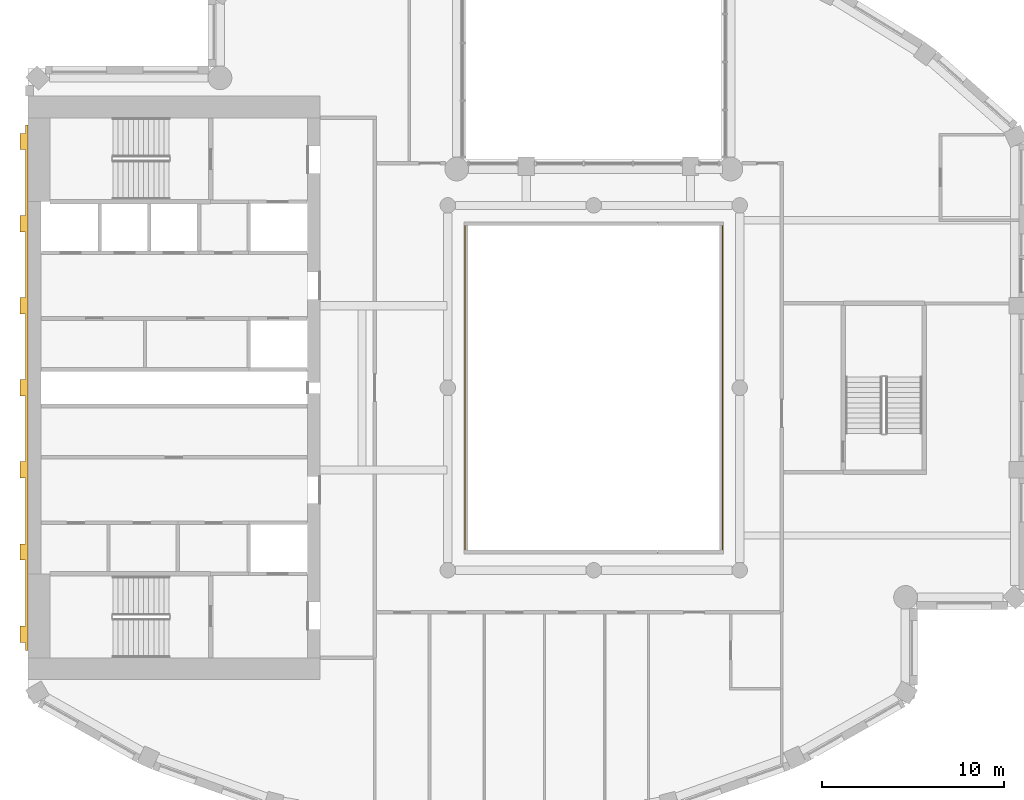
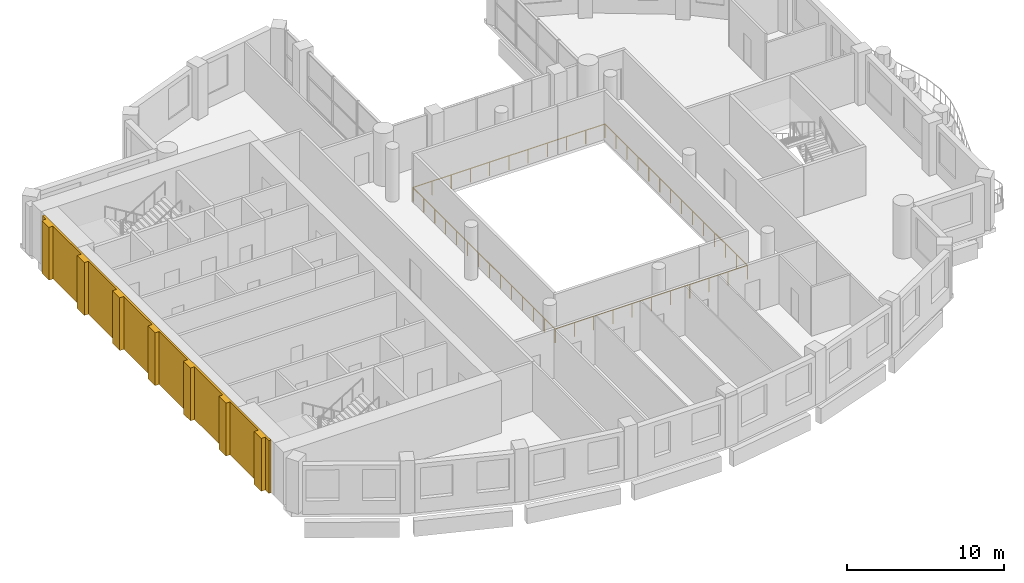
# One storey, part 11 of 14: 1 covering, 1 railing.
"""IFC4 building model written with IfcOpenShell, lengths in metres."""

from ifc_helpers import new_model, si_unit, direction, frame, origin, origin_2d, place, context, subcontext, project, spatial, polyline, rectangle, outline, extrude, material, layer, layer_set, type_object, element, save


model = new_model("IFC4")

# Units and contexts
model_context = context("Model", 3, precision=1e-05, world=origin(), true_north=direction((0.0, 1.0)))
body_context = subcontext(model_context, "Body", "Model", "MODEL_VIEW")
ifc_project = project(units=[si_unit("LENGTHUNIT", "METRE"), si_unit("AREAUNIT", "SQUARE_METRE"), si_unit("VOLUMEUNIT", "CUBIC_METRE"), si_unit("PLANEANGLEUNIT", "RADIAN"), si_unit("MASSUNIT", "GRAM", prefix="KILO")], contexts=[model_context])

# Site, building, storey
site_placement = place(None, origin())
site = spatial("IfcSite", under=ifc_project, at=site_placement, CompositionType="ELEMENT")
building_placement = place(site_placement, origin())
building = spatial("IfcBuilding", under=site, at=building_placement, Name="Cypress Arch Tower", CompositionType="ELEMENT")
storey_placement = place(building_placement, frame((0.0, 0.0, 304.89990234375)))
storey = spatial("IfcBuildingStorey", under=building, at=storey_placement, Name="L69", CompositionType="ELEMENT", Elevation=304.89990234375)

# Railing
ifc_material_1 = material(Name="Stainless steel posts and handrail, laminated glass infill", Category="steel")
railing_type = type_object("IfcRailingType", Name="Atrium guard GR1100A", PredefinedType="GUARDRAIL", material=ifc_material_1)
railing_placement = place(storey_placement, frame((8.050048828125, -9.050048828125, 0.0)))
element("IfcRailing", 1, at=railing_placement, inside=storey, type_object=railing_type, Name="Atrium guard L69", PredefinedType="GUARDRAIL", context=body_context, shape_type="SweptSolid", body=[
    extrude(rectangle(XDim=0.050048828125, YDim=0.050048828125, at=origin_2d()), frame((0.0, 0.0, 1.0751953125), z_axis=(-1.0, 0.0, 0.0), x_axis=(0.0, -1.0, 0.0)), (0.0, 0.0, 1.0), 14.10009765625),
    extrude(rectangle(XDim=0.050048828125, YDim=0.050048828125, at=origin_2d()), frame((-14.10009765625, 0.0, 1.0751953125), z_axis=(0.0, 1.0, 0.0), x_axis=(-1.0, 0.0, 0.0)), (0.0, 0.0, 1.0), 18.10009765625),
    extrude(rectangle(XDim=0.050048828125, YDim=0.050048828125, at=origin_2d()), frame((-14.10009765625, 18.10009765625, 1.0751953125), z_axis=(1.0, 0.0, 0.0), x_axis=(0.0, 1.0, 0.0)), (0.0, 0.0, 1.0), 14.10009765625),
    extrude(rectangle(XDim=0.050048828125, YDim=0.050048828125, at=origin_2d()), frame((0.0, 18.10009765625, 1.0751953125), z_axis=(0.0, -1.0, 0.0), x_axis=(1.0, 0.0, 0.0)), (0.0, 0.0, 1.0), 18.10009765625),
    extrude(rectangle(XDim=0.050048828125, YDim=0.050048828125, at=origin_2d()), origin(), (0.0, 0.0, 1.0), 1.050048828125),
    extrude(rectangle(XDim=0.050048828125, YDim=0.050048828125, at=origin_2d()), frame((-1.409912109375, 0.0, 0.0)), (0.0, 0.0, 1.0), 1.050048828125),
    extrude(rectangle(XDim=0.050048828125, YDim=0.050048828125, at=origin_2d()), frame((-2.820068359375, 0.0, 0.0)), (0.0, 0.0, 1.0), 1.050048828125),
    extrude(rectangle(XDim=0.050048828125, YDim=0.050048828125, at=origin_2d()), frame((-4.22998046875, 0.0, 0.0)), (0.0, 0.0, 1.0), 1.050048828125),
    extrude(rectangle(XDim=0.050048828125, YDim=0.050048828125, at=origin_2d()), frame((-5.64013671875, 0.0, 0.0)), (0.0, 0.0, 1.0), 1.050048828125),
    extrude(rectangle(XDim=0.050048828125, YDim=0.050048828125, at=origin_2d()), frame((-7.050048828125, 0.0, 0.0)), (0.0, 0.0, 1.0), 1.050048828125),
    extrude(rectangle(XDim=0.050048828125, YDim=0.050048828125, at=origin_2d()), frame((-8.4599609375, 0.0, 0.0)), (0.0, 0.0, 1.0), 1.050048828125),
    extrude(rectangle(XDim=0.050048828125, YDim=0.050048828125, at=origin_2d()), frame((-9.8701171875, 0.0, 0.0)), (0.0, 0.0, 1.0), 1.050048828125),
    extrude(rectangle(XDim=0.050048828125, YDim=0.050048828125, at=origin_2d()), frame((-11.280029296875, 0.0, 0.0)), (0.0, 0.0, 1.0), 1.050048828125),
    extrude(rectangle(XDim=0.050048828125, YDim=0.050048828125, at=origin_2d()), frame((-12.690185546875, 0.0, 0.0)), (0.0, 0.0, 1.0), 1.050048828125),
    extrude(rectangle(XDim=0.050048828125, YDim=0.050048828125, at=origin_2d()), frame((-14.10009765625, 0.0, 0.0)), (0.0, 0.0, 1.0), 1.050048828125),
    extrude(rectangle(XDim=0.050048828125, YDim=0.050048828125, at=origin_2d()), frame((-14.10009765625, 1.392333984375, 0.0)), (0.0, 0.0, 1.0), 1.050048828125),
    extrude(rectangle(XDim=0.050048828125, YDim=0.050048828125, at=origin_2d()), frame((-14.10009765625, 2.78466796875, 0.0)), (0.0, 0.0, 1.0), 1.050048828125),
    extrude(rectangle(XDim=0.050048828125, YDim=0.050048828125, at=origin_2d()), frame((-14.10009765625, 4.177001953125, 0.0)), (0.0, 0.0, 1.0), 1.050048828125),
    extrude(rectangle(XDim=0.050048828125, YDim=0.050048828125, at=origin_2d()), frame((-14.10009765625, 5.5693359375, 0.0)), (0.0, 0.0, 1.0), 1.050048828125),
    extrude(rectangle(XDim=0.050048828125, YDim=0.050048828125, at=origin_2d()), frame((-14.10009765625, 6.961669921875, 0.0)), (0.0, 0.0, 1.0), 1.050048828125),
    extrude(rectangle(XDim=0.050048828125, YDim=0.050048828125, at=origin_2d()), frame((-14.10009765625, 8.35400390625, 0.0)), (0.0, 0.0, 1.0), 1.050048828125),
    extrude(rectangle(XDim=0.050048828125, YDim=0.050048828125, at=origin_2d()), frame((-14.10009765625, 9.74609375, 0.0)), (0.0, 0.0, 1.0), 1.050048828125),
    extrude(rectangle(XDim=0.050048828125, YDim=0.050048828125, at=origin_2d()), frame((-14.10009765625, 11.138427734375, 0.0)), (0.0, 0.0, 1.0), 1.050048828125),
    extrude(rectangle(XDim=0.050048828125, YDim=0.050048828125, at=origin_2d()), frame((-14.10009765625, 12.53076171875, 0.0)), (0.0, 0.0, 1.0), 1.050048828125),
    extrude(rectangle(XDim=0.050048828125, YDim=0.050048828125, at=origin_2d()), frame((-14.10009765625, 13.923095703125, 0.0)), (0.0, 0.0, 1.0), 1.050048828125),
    extrude(rectangle(XDim=0.050048828125, YDim=0.050048828125, at=origin_2d()), frame((-14.10009765625, 15.3154296875, 0.0)), (0.0, 0.0, 1.0), 1.050048828125),
    extrude(rectangle(XDim=0.050048828125, YDim=0.050048828125, at=origin_2d()), frame((-14.10009765625, 16.707763671875, 0.0)), (0.0, 0.0, 1.0), 1.050048828125),
    extrude(rectangle(XDim=0.050048828125, YDim=0.050048828125, at=origin_2d()), frame((-14.10009765625, 18.10009765625, 0.0)), (0.0, 0.0, 1.0), 1.050048828125),
    extrude(rectangle(XDim=0.050048828125, YDim=0.050048828125, at=origin_2d()), frame((-12.690185546875, 18.10009765625, 0.0)), (0.0, 0.0, 1.0), 1.050048828125),
    extrude(rectangle(XDim=0.050048828125, YDim=0.050048828125, at=origin_2d()), frame((-11.280029296875, 18.10009765625, 0.0)), (0.0, 0.0, 1.0), 1.050048828125),
    extrude(rectangle(XDim=0.050048828125, YDim=0.050048828125, at=origin_2d()), frame((-9.8701171875, 18.10009765625, 0.0)), (0.0, 0.0, 1.0), 1.050048828125),
    extrude(rectangle(XDim=0.050048828125, YDim=0.050048828125, at=origin_2d()), frame((-8.4599609375, 18.10009765625, 0.0)), (0.0, 0.0, 1.0), 1.050048828125),
    extrude(rectangle(XDim=0.050048828125, YDim=0.050048828125, at=origin_2d()), frame((-7.050048828125, 18.10009765625, 0.0)), (0.0, 0.0, 1.0), 1.050048828125),
    extrude(rectangle(XDim=0.050048828125, YDim=0.050048828125, at=origin_2d()), frame((-5.64013671875, 18.10009765625, 0.0)), (0.0, 0.0, 1.0), 1.050048828125),
    extrude(rectangle(XDim=0.050048828125, YDim=0.050048828125, at=origin_2d()), frame((-4.22998046875, 18.10009765625, 0.0)), (0.0, 0.0, 1.0), 1.050048828125),
    extrude(rectangle(XDim=0.050048828125, YDim=0.050048828125, at=origin_2d()), frame((-2.820068359375, 18.10009765625, 0.0)), (0.0, 0.0, 1.0), 1.050048828125),
    extrude(rectangle(XDim=0.050048828125, YDim=0.050048828125, at=origin_2d()), frame((-1.409912109375, 18.10009765625, 0.0)), (0.0, 0.0, 1.0), 1.050048828125),
    extrude(rectangle(XDim=0.050048828125, YDim=0.050048828125, at=origin_2d()), frame((0.0, 18.10009765625, 0.0)), (0.0, 0.0, 1.0), 1.050048828125),
    extrude(rectangle(XDim=0.050048828125, YDim=0.050048828125, at=origin_2d()), frame((0.0, 16.707763671875, 0.0)), (0.0, 0.0, 1.0), 1.050048828125),
    extrude(rectangle(XDim=0.050048828125, YDim=0.050048828125, at=origin_2d()), frame((0.0, 15.3154296875, 0.0)), (0.0, 0.0, 1.0), 1.050048828125),
    extrude(rectangle(XDim=0.050048828125, YDim=0.050048828125, at=origin_2d()), frame((0.0, 13.923095703125, 0.0)), (0.0, 0.0, 1.0), 1.050048828125),
    extrude(rectangle(XDim=0.050048828125, YDim=0.050048828125, at=origin_2d()), frame((0.0, 12.53076171875, 0.0)), (0.0, 0.0, 1.0), 1.050048828125),
    extrude(rectangle(XDim=0.050048828125, YDim=0.050048828125, at=origin_2d()), frame((0.0, 11.138427734375, 0.0)), (0.0, 0.0, 1.0), 1.050048828125),
    extrude(rectangle(XDim=0.050048828125, YDim=0.050048828125, at=origin_2d()), frame((0.0, 9.74609375, 0.0)), (0.0, 0.0, 1.0), 1.050048828125),
    extrude(rectangle(XDim=0.050048828125, YDim=0.050048828125, at=origin_2d()), frame((0.0, 8.35400390625, 0.0)), (0.0, 0.0, 1.0), 1.050048828125),
    extrude(rectangle(XDim=0.050048828125, YDim=0.050048828125, at=origin_2d()), frame((0.0, 6.961669921875, 0.0)), (0.0, 0.0, 1.0), 1.050048828125),
    extrude(rectangle(XDim=0.050048828125, YDim=0.050048828125, at=origin_2d()), frame((0.0, 5.5693359375, 0.0)), (0.0, 0.0, 1.0), 1.050048828125),
    extrude(rectangle(XDim=0.050048828125, YDim=0.050048828125, at=origin_2d()), frame((0.0, 4.177001953125, 0.0)), (0.0, 0.0, 1.0), 1.050048828125),
    extrude(rectangle(XDim=0.050048828125, YDim=0.050048828125, at=origin_2d()), frame((0.0, 2.78466796875, 0.0)), (0.0, 0.0, 1.0), 1.050048828125),
    extrude(rectangle(XDim=0.050048828125, YDim=0.050048828125, at=origin_2d()), frame((0.0, 1.392333984375, 0.0)), (0.0, 0.0, 1.0), 1.050048828125),
])

# Covering
ifc_material_2 = material(Name="Brick (red buff blend)", Category="masonry")
ifc_layer = layer(ifc_material_2, 0.449951171875)
ifc_layer_set = layer_set([ifc_layer], Name="West face brick piers WP450")
covering_type = type_object("IfcCoveringType", Name="West face brick piers WP450", PredefinedType="CLADDING", material=ifc_layer_set)
covering_placement = place(storey_placement, origin())
element("IfcCovering", 2, at=covering_placement, inside=storey, type_object=covering_type, Name="West face brick piers L69", PredefinedType="CLADDING", context=body_context, shape_type="SweptSolid", body=[
    extrude(outline(polyline([(-30.14990234375, -13.050048828125), (-30.14990234375, -9.449951171875), (-30.449951171875, -9.449951171875), (-30.449951171875, -8.550048828125), (-30.14990234375, -8.550048828125), (-30.14990234375, -4.949951171875), (-30.449951171875, -4.949951171875), (-30.449951171875, -4.050048828125), (-30.14990234375, -4.050048828125), (-30.14990234375, -0.449951171875), (-30.449951171875, -0.449951171875), (-30.449951171875, 0.449951171875), (-30.14990234375, 0.449951171875), (-30.14990234375, 4.050048828125), (-30.449951171875, 4.050048828125), (-30.449951171875, 4.949951171875), (-30.14990234375, 4.949951171875), (-30.14990234375, 8.550048828125), (-30.449951171875, 8.550048828125), (-30.449951171875, 9.449951171875), (-30.14990234375, 9.449951171875), (-30.14990234375, 13.050048828125), (-30.449951171875, 13.050048828125), (-30.449951171875, 13.949951171875), (-30.14990234375, 13.949951171875), (-30.14990234375, 14.39990234375), (-30.0, 14.39990234375), (-30.0, -14.39990234375), (-30.14990234375, -14.39990234375), (-30.14990234375, -13.949951171875), (-30.449951171875, -13.949951171875), (-30.449951171875, -13.050048828125), (-30.14990234375, -13.050048828125)])), origin(), (0.0, 0.0, 1.0), 4.10009765625),
])

save(model, "model.ifc")
